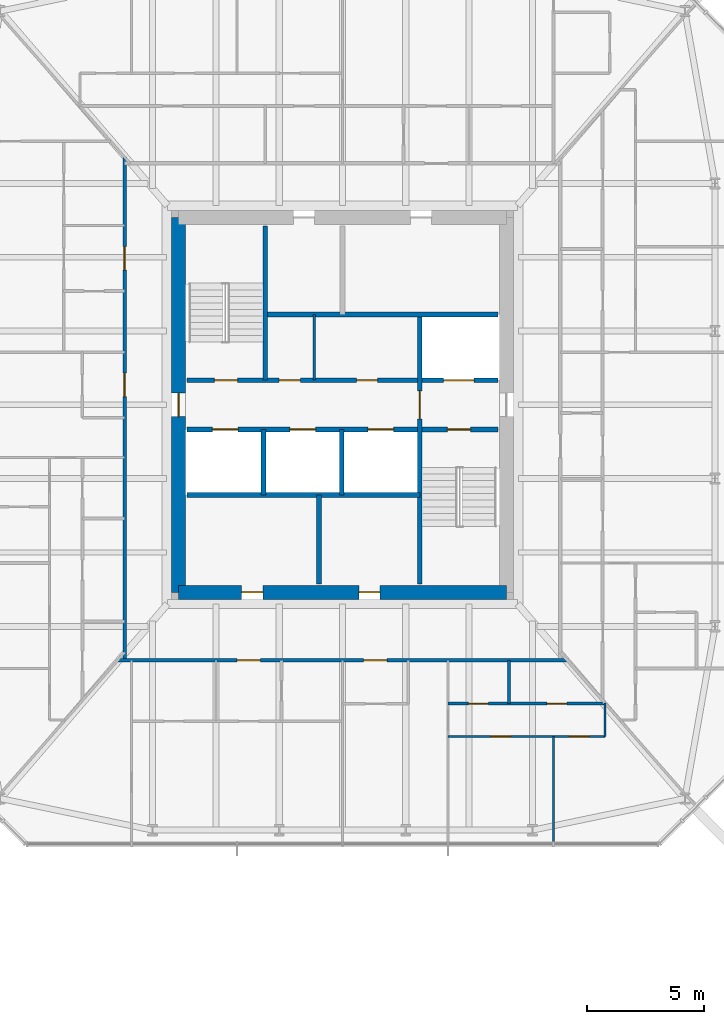
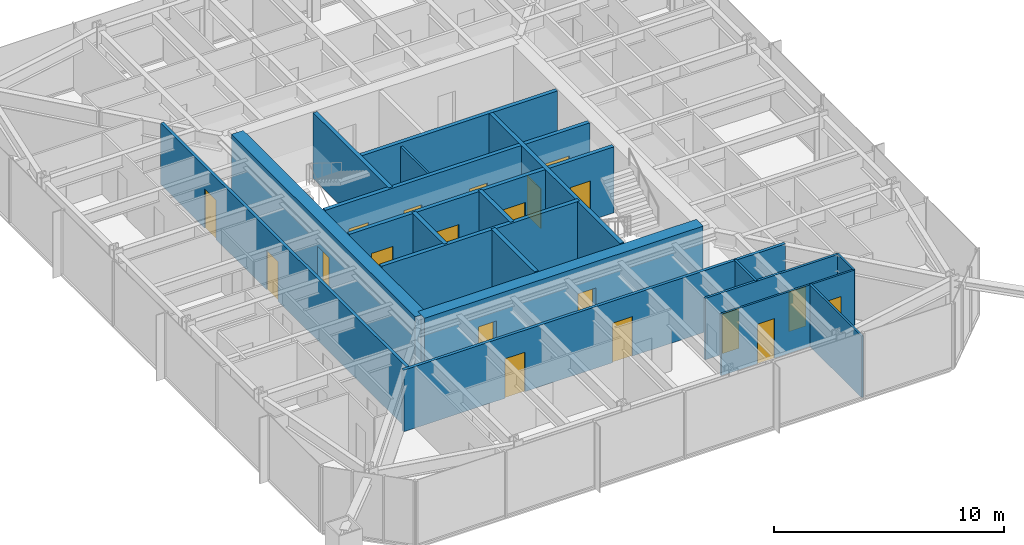
# One storey, part 19 of 26: 20 doors, 19 walls, 20 openings.
"""IFC4 building model written with IfcOpenShell, lengths in metres."""

from ifc_helpers import new_model, si_unit, direction, frame, frame_2d, origin, place, context, subcontext, project, spatial, rectangle, extrude, material, layer, layer_set, type_object, element, fill, save


model = new_model("IFC4")

# Units and contexts
model_context = context("Model", 3, precision=1e-05, world=origin(), true_north=direction((0.0, 1.0)))
body_context = subcontext(model_context, "Body", "Model", "MODEL_VIEW")
ifc_project = project(units=[si_unit("LENGTHUNIT", "METRE"), si_unit("AREAUNIT", "SQUARE_METRE"), si_unit("VOLUMEUNIT", "CUBIC_METRE"), si_unit("PLANEANGLEUNIT", "RADIAN"), si_unit("MASSUNIT", "GRAM", prefix="KILO")], contexts=[model_context])

# Site, building, storey
site_placement = place(None, origin())
site = spatial("IfcSite", under=ifc_project, at=site_placement, CompositionType="ELEMENT")
building_placement = place(site_placement, origin())
building = spatial("IfcBuilding", under=site, at=building_placement, Name="Iwan Alto Co-Living Towers", CompositionType="ELEMENT")
storey_placement = place(building_placement, frame((0.0, 0.0, 57.0)))
storey = spatial("IfcBuildingStorey", under=building, at=storey_placement, Name="L15", CompositionType="ELEMENT", Elevation=57.0)

# Wall, openings, doors
ifc_material_1 = material(Name="Gypsum board")
ifc_layer_1 = layer(ifc_material_1, 0.02490234375, Name="Board", Category="Finish")
ifc_material_2 = material(Name="Steel ASTM A1003 ST33H cold-formed studs", Category="steel")
ifc_layer_2 = layer(ifc_material_2, 0.10009765625, Name="Studs", Category="Framing")
ifc_layer_3 = layer(ifc_material_1, 0.02490234375, Name="Board", Category="Finish")
ifc_layer_set_1 = layer_set([ifc_layer_1, ifc_layer_2, ifc_layer_3], Name="CORRIDOR WALL 150")
wall_type_1 = type_object("IfcWallType", Name="CORRIDOR WALL 150", PredefinedType="PARTITIONING", material=ifc_layer_set_1)
wall_1_placement = place(storey_placement, frame((53.407958984375, -10.89990234375, 0.0), z_axis=(0.0, 0.0, 1.0), x_axis=(1.0, 0.0, 0.0)))
wall_1 = element("IfcWall", 1, at=wall_1_placement, inside=storey, type_object=wall_type_1, Name="Partition L15", PredefinedType="PARTITIONING", context=body_context, shape_type="SweptSolid", body=[
    extrude(rectangle(XDim=19.18408203125, YDim=0.14990234375, at=frame_2d((9.592041015625, 0.0))), origin(), (0.0, 0.0, 1.0), 3.27001953125),
])
opening_1_placement = place(wall_1_placement, frame((5.092041015625, 0.0, 0.0)))
opening_1 = element("IfcOpeningElement", 2, at=opening_1_placement, cuts=wall_1, Name="Opening D3", PredefinedType="OPENING", context=body_context, shape_type="SweptSolid", body=[
    extrude(rectangle(XDim=1.0, YDim=2.10009765625, at=frame_2d((0.5, 1.050048828125))), frame((0.0, 0.0849609375, 0.0), z_axis=(0.0, -1.0, 0.0), x_axis=(1.0, 0.0, 0.0)), (0.0, 0.0, 1.0), 0.169921875),
])
opening_2_placement = place(wall_1_placement, frame((10.491943359375, 0.0, 0.0)))
opening_2 = element("IfcOpeningElement", 3, at=opening_2_placement, cuts=wall_1, Name="Opening D3", PredefinedType="OPENING", context=body_context, shape_type="SweptSolid", body=[
    extrude(rectangle(XDim=1.0, YDim=2.10009765625, at=frame_2d((0.5, 1.050048828125))), frame((0.0, 0.0849609375, 0.0), z_axis=(0.0, -1.0, 0.0), x_axis=(1.0, 0.0, 0.0)), (0.0, 0.0, 1.0), 0.169921875),
])
ifc_material_3 = material(Name="Steel frame with timber leaf", Category="steel")
door_type_1 = type_object("IfcDoorType", Name="FLAT ENTRANCE DOOR FD30S 1000X2100", OperationType="SINGLE_SWING_LEFT", PredefinedType="DOOR", material=ifc_material_3)
door_1_placement = place(opening_1_placement, frame((1.0, 0.0, 0.0), z_axis=(0.0, 0.0, 1.0), x_axis=(-1.0, 0.0, 0.0)))
door_1 = element("IfcDoor", 4, at=door_1_placement, inside=storey, type_object=door_type_1, Name="Apartment foyer door L15", OperationType="SINGLE_SWING_RIGHT", OverallHeight=2.10009765625, OverallWidth=1.0, PredefinedType="DOOR", context=body_context, shape_type="SweptSolid", body=[
    extrude(rectangle(XDim=1.0, YDim=2.10009765625, at=frame_2d((0.5, 1.050048828125))), frame((0.0, 0.02490234375, 0.0), z_axis=(0.0, -1.0, 0.0), x_axis=(1.0, 0.0, 0.0)), (0.0, 0.0, 1.0), 0.050048828125),
])
fill(opening_1, door_1)
door_2_placement = place(opening_2_placement, frame((1.0, 0.0, 0.0), z_axis=(0.0, 0.0, 1.0), x_axis=(-1.0, 0.0, 0.0)))
door_2 = element("IfcDoor", 5, at=door_2_placement, inside=storey, type_object=door_type_1, Name="Apartment foyer door L15", OperationType="SINGLE_SWING_RIGHT", OverallHeight=2.10009765625, OverallWidth=1.0, PredefinedType="DOOR", context=body_context, shape_type="SweptSolid", body=[
    extrude(rectangle(XDim=1.0, YDim=2.10009765625, at=frame_2d((0.5, 1.050048828125))), frame((0.0, 0.02490234375, 0.0), z_axis=(0.0, -1.0, 0.0), x_axis=(1.0, 0.0, 0.0)), (0.0, 0.0, 1.0), 0.050048828125),
])
fill(opening_2, door_2)

wall_2_placement = place(storey_placement, frame((53.699951171875, -10.89990234375, 0.0), z_axis=(0.0, 0.0, 1.0), x_axis=(0.0, 1.0, 0.0)))
wall_2 = element("IfcWall", 6, at=wall_2_placement, inside=storey, type_object=wall_type_1, Name="Partition L15", PredefinedType="PARTITIONING", context=body_context, shape_type="SweptSolid", body=[
    extrude(rectangle(XDim=21.468017578125, YDim=0.14990234375, at=frame_2d((10.73388671875, 0.0))), origin(), (0.0, 0.0, 1.0), 3.27001953125),
])
opening_3_placement = place(wall_2_placement, frame((16.64990234375, 0.0, 0.0)))
opening_3 = element("IfcOpeningElement", 7, at=opening_3_placement, cuts=wall_2, Name="Opening D3", PredefinedType="OPENING", context=body_context, shape_type="SweptSolid", body=[
    extrude(rectangle(XDim=1.0, YDim=2.10009765625, at=frame_2d((0.5, 1.050048828125))), frame((0.0, 0.0849609375, 0.0), z_axis=(0.0, -1.0, 0.0), x_axis=(1.0, 0.0, 0.0)), (0.0, 0.0, 1.0), 0.169921875),
])
opening_4_placement = place(wall_2_placement, frame((11.25, 0.0, 0.0)))
opening_4 = element("IfcOpeningElement", 8, at=opening_4_placement, cuts=wall_2, Name="Opening D3", PredefinedType="OPENING", context=body_context, shape_type="SweptSolid", body=[
    extrude(rectangle(XDim=1.0, YDim=2.10009765625, at=frame_2d((0.5, 1.050048828125))), frame((0.0, 0.0849609375, 0.0), z_axis=(0.0, -1.0, 0.0), x_axis=(1.0, 0.0, 0.0)), (0.0, 0.0, 1.0), 0.169921875),
])
door_3_placement = place(opening_3_placement, origin())
door_3 = element("IfcDoor", 9, at=door_3_placement, inside=storey, type_object=door_type_1, Name="Apartment foyer door L15", OperationType="SINGLE_SWING_LEFT", OverallHeight=2.10009765625, OverallWidth=1.0, PredefinedType="DOOR", context=body_context, shape_type="SweptSolid", body=[
    extrude(rectangle(XDim=1.0, YDim=2.10009765625, at=frame_2d((0.5, 1.050048828125))), frame((0.0, 0.02490234375, 0.0), z_axis=(0.0, -1.0, 0.0), x_axis=(1.0, 0.0, 0.0)), (0.0, 0.0, 1.0), 0.050048828125),
])
fill(opening_3, door_3)
door_4_placement = place(opening_4_placement, origin())
door_4 = element("IfcDoor", 10, at=door_4_placement, inside=storey, type_object=door_type_1, Name="Apartment foyer door L15", OperationType="SINGLE_SWING_LEFT", OverallHeight=2.10009765625, OverallWidth=1.0, PredefinedType="DOOR", context=body_context, shape_type="SweptSolid", body=[
    extrude(rectangle(XDim=1.0, YDim=2.10009765625, at=frame_2d((0.5, 1.050048828125))), frame((0.0, 0.02490234375, 0.0), z_axis=(0.0, -1.0, 0.0), x_axis=(1.0, 0.0, 0.0)), (0.0, 0.0, 1.0), 0.050048828125),
])
fill(opening_4, door_4)

ifc_layer_4 = layer(ifc_material_1, 0.012451171875, Name="Board", Category="Finish")
ifc_layer_5 = layer(ifc_material_2, 0.074951171875, Name="Studs", Category="Framing")
ifc_layer_6 = layer(ifc_material_1, 0.012451171875, Name="Board", Category="Finish")
ifc_layer_set_2 = layer_set([ifc_layer_4, ifc_layer_5, ifc_layer_6], Name="PARTITION 100")
wall_type_2 = type_object("IfcWallType", Name="PARTITION 100", PredefinedType="PARTITIONING", material=ifc_layer_set_2)
wall_3_placement = place(storey_placement, frame((67.5, -14.14990234375, 0.0), z_axis=(0.0, 0.0, 1.0), x_axis=(1.0, 0.0, 0.0)))
wall_3 = element("IfcWall", 11, at=wall_3_placement, inside=storey, type_object=wall_type_2, Name="Partition L15", PredefinedType="PARTITIONING", context=body_context, shape_type="SweptSolid", body=[
    extrude(rectangle(XDim=6.699951171875, YDim=0.10009765625, at=frame_2d((3.35009765625, 0.0))), origin(), (0.0, 0.0, 1.0), 3.27001953125),
])
opening_5_placement = place(wall_3_placement, frame((1.824951171875, 0.0, 0.0)))
opening_5 = element("IfcOpeningElement", 12, at=opening_5_placement, cuts=wall_3, Name="Opening D2", PredefinedType="OPENING", context=body_context, shape_type="SweptSolid", body=[
    extrude(rectangle(XDim=0.85009765625, YDim=2.10009765625, at=frame_2d((0.425048828125, 1.050048828125))), frame((0.0, 0.06005859375, 0.0), z_axis=(0.0, -1.0, 0.0), x_axis=(1.0, 0.0, 0.0)), (0.0, 0.0, 1.0), 0.1201171875),
])
opening_6_placement = place(wall_3_placement, frame((5.175048828125, 0.0, 0.0)))
opening_6 = element("IfcOpeningElement", 13, at=opening_6_placement, cuts=wall_3, Name="Opening D2", PredefinedType="OPENING", context=body_context, shape_type="SweptSolid", body=[
    extrude(rectangle(XDim=0.85009765625, YDim=2.10009765625, at=frame_2d((0.425048828125, 1.050048828125))), frame((0.0, 0.06005859375, 0.0), z_axis=(0.0, -1.0, 0.0), x_axis=(1.0, 0.0, 0.0)), (0.0, 0.0, 1.0), 0.1201171875),
])
ifc_material_4 = material(Name="Timber leaf in steel frame", Category="steel")
door_type_2 = type_object("IfcDoorType", Name="ROOM DOOR 850X2100", OperationType="SINGLE_SWING_LEFT", PredefinedType="DOOR", material=ifc_material_4)
door_5_placement = place(opening_5_placement, frame((0.85009765625, 0.0, 0.0), z_axis=(0.0, 0.0, 1.0), x_axis=(-1.0, 0.0, 0.0)))
door_5 = element("IfcDoor", 14, at=door_5_placement, inside=storey, type_object=door_type_2, Name="Study door L15", OperationType="SINGLE_SWING_RIGHT", OverallHeight=2.10009765625, OverallWidth=0.85009765625, PredefinedType="DOOR", context=body_context, shape_type="SweptSolid", body=[
    extrude(rectangle(XDim=0.85009765625, YDim=2.10009765625, at=frame_2d((0.425048828125, 1.050048828125))), frame((0.0, 0.02490234375, 0.0), z_axis=(0.0, -1.0, 0.0), x_axis=(1.0, 0.0, 0.0)), (0.0, 0.0, 1.0), 0.050048828125),
])
fill(opening_5, door_5)
door_6_placement = place(opening_6_placement, frame((0.85009765625, 0.0, 0.0), z_axis=(0.0, 0.0, 1.0), x_axis=(-1.0, 0.0, 0.0)))
door_6 = element("IfcDoor", 15, at=door_6_placement, inside=storey, type_object=door_type_2, Name="Bedroom door L15", OperationType="SINGLE_SWING_RIGHT", OverallHeight=2.10009765625, OverallWidth=0.85009765625, PredefinedType="DOOR", context=body_context, shape_type="SweptSolid", body=[
    extrude(rectangle(XDim=0.85009765625, YDim=2.10009765625, at=frame_2d((0.425048828125, 1.050048828125))), frame((0.0, 0.02490234375, 0.0), z_axis=(0.0, -1.0, 0.0), x_axis=(1.0, 0.0, 0.0)), (0.0, 0.0, 1.0), 0.050048828125),
])
fill(opening_6, door_6)

# Walls
wall_4_placement = place(storey_placement, frame((74.199951171875, -14.14990234375, 0.0), z_axis=(0.0, 0.0, 1.0), x_axis=(0.0, 1.0, 0.0)))
element("IfcWall", 16, at=wall_4_placement, inside=storey, type_object=wall_type_2, Name="Partition L15", PredefinedType="PARTITIONING", context=body_context, shape_type="SweptSolid", body=[
    extrude(rectangle(XDim=1.4228515625, YDim=0.10009765625, at=frame_2d((0.71142578125, 0.0))), origin(), (0.0, 0.0, 1.0), 3.27001953125),
])
wall_5_placement = place(storey_placement, frame((72.0, -18.68994140625, 0.0), z_axis=(0.0, 0.0, 1.0), x_axis=(0.0, 1.0, 0.0)))
element("IfcWall", 17, at=wall_5_placement, inside=storey, type_object=wall_type_2, Name="Partition L15", PredefinedType="PARTITIONING", context=body_context, shape_type="SweptSolid", body=[
    extrude(rectangle(XDim=4.5400390625, YDim=0.10009765625, at=frame_2d((2.27001953125, 0.0))), origin(), (0.0, 0.0, 1.0), 3.27001953125),
])
wall_6_placement = place(storey_placement, frame((61.800048828125, 1.050048828125, 0.0), z_axis=(0.0, 0.0, 1.0), x_axis=(0.0, 1.0, 0.0)))
element("IfcWall", 18, at=wall_6_placement, inside=storey, type_object=wall_type_2, Name="Partition L15", PredefinedType="PARTITIONING", context=body_context, shape_type="SweptSolid", body=[
    extrude(rectangle(XDim=2.800048828125, YDim=0.10009765625, at=frame_2d((1.39990234375, 0.0))), origin(), (0.0, 0.0, 1.0), 3.300048828125),
])
ifc_material_5 = material(Name="Concrete f'c 70 MPa", Category="concrete")
ifc_layer_7 = layer(ifc_material_5, 0.199951171875)
ifc_layer_set_3 = layer_set([ifc_layer_7], Name="SHAFT WALL 200")
wall_type_3 = type_object("IfcWallType", Name="SHAFT WALL 200", PredefinedType="SOLIDWALL", material=ifc_layer_set_3)
wall_7_placement = place(storey_placement, frame((56.360107421875, -3.85009765625, 0.0), z_axis=(0.0, 0.0, 1.0), x_axis=(1.0, 0.0, 0.0)))
element("IfcWall", 19, at=wall_7_placement, inside=storey, type_object=wall_type_3, Name="Shaft wall L15", PredefinedType="SOLIDWALL", context=body_context, shape_type="SweptSolid", body=[
    extrude(rectangle(XDim=9.93994140625, YDim=0.199951171875, at=frame_2d((4.969970703125, 0.0))), origin(), (0.0, 0.0, 1.0), 3.5),
])

# Wall, openings, doors
wall_8_placement = place(storey_placement, frame((56.360107421875, -1.050048828125, 0.0), z_axis=(0.0, 0.0, 1.0), x_axis=(1.0, 0.0, 0.0)))
wall_8 = element("IfcWall", 20, at=wall_8_placement, inside=storey, type_object=wall_type_3, Name="Shaft wall L15", PredefinedType="SOLIDWALL", context=body_context, shape_type="SweptSolid", body=[
    extrude(rectangle(XDim=13.27978515625, YDim=0.199951171875, at=frame_2d((6.639892578125, 0.0))), origin(), (0.0, 0.0, 1.0), 3.5),
])
opening_7_placement = place(wall_8_placement, frame((11.110107421875, 0.0, 0.0)))
opening_7 = element("IfcOpeningElement", 21, at=opening_7_placement, cuts=wall_8, Name="Opening D5", PredefinedType="OPENING", context=body_context, shape_type="SweptSolid", body=[
    extrude(rectangle(XDim=1.0, YDim=2.10009765625, at=frame_2d((0.5, 1.050048828125))), frame((0.0, 0.10986328125, 0.0), z_axis=(0.0, -1.0, 0.0), x_axis=(1.0, 0.0, 0.0)), (0.0, 0.0, 1.0), 0.219970703125),
])
opening_8_placement = place(wall_8_placement, frame((1.0869140625, 0.0, 0.0)))
opening_8 = element("IfcOpeningElement", 22, at=opening_8_placement, cuts=wall_8, Name="Opening LD", PredefinedType="OPENING", context=body_context, shape_type="SweptSolid", body=[
    extrude(rectangle(XDim=1.10009765625, YDim=2.10009765625, at=frame_2d((0.550048828125, 1.050048828125))), frame((0.0, 0.10986328125, 0.0), z_axis=(0.0, -1.0, 0.0), x_axis=(1.0, 0.0, 0.0)), (0.0, 0.0, 1.0), 0.219970703125),
])
opening_9_placement = place(wall_8_placement, frame((4.389892578125, 0.0, 0.0)))
opening_9 = element("IfcOpeningElement", 23, at=opening_9_placement, cuts=wall_8, Name="Opening LD", PredefinedType="OPENING", context=body_context, shape_type="SweptSolid", body=[
    extrude(rectangle(XDim=1.10009765625, YDim=2.10009765625, at=frame_2d((0.550048828125, 1.050048828125))), frame((0.0, 0.10986328125, 0.0), z_axis=(0.0, -1.0, 0.0), x_axis=(1.0, 0.0, 0.0)), (0.0, 0.0, 1.0), 0.219970703125),
])
opening_10_placement = place(wall_8_placement, frame((7.72412109375, 0.0, 0.0)))
opening_10 = element("IfcOpeningElement", 24, at=opening_10_placement, cuts=wall_8, Name="Opening LD", PredefinedType="OPENING", context=body_context, shape_type="SweptSolid", body=[
    extrude(rectangle(XDim=1.10009765625, YDim=2.10009765625, at=frame_2d((0.550048828125, 1.050048828125))), frame((0.0, 0.10986328125, 0.0), z_axis=(0.0, -1.0, 0.0), x_axis=(1.0, 0.0, 0.0)), (0.0, 0.0, 1.0), 0.219970703125),
])
ifc_material_6 = material(Name="Steel frame with timber leaf", Category="steel")
door_type_3 = type_object("IfcDoorType", Name="LIFT LANDING DOOR 1100X2100", OperationType="DOUBLE_DOOR_SLIDING", PredefinedType="DOOR", material=ifc_material_6)
door_7_placement = place(opening_8_placement, origin())
door_7 = element("IfcDoor", 25, at=door_7_placement, inside=storey, type_object=door_type_3, Name="Lift P5-1 landing door L15", OperationType="DOUBLE_DOOR_SLIDING", OverallHeight=2.10009765625, OverallWidth=1.10009765625, PredefinedType="DOOR", context=body_context, shape_type="SweptSolid", body=[
    extrude(rectangle(XDim=1.10009765625, YDim=2.10009765625, at=frame_2d((0.550048828125, 1.050048828125))), frame((0.0, 0.02490234375, 0.0), z_axis=(0.0, -1.0, 0.0), x_axis=(1.0, 0.0, 0.0)), (0.0, 0.0, 1.0), 0.050048828125),
])
fill(opening_8, door_7)
door_8_placement = place(opening_9_placement, origin())
door_8 = element("IfcDoor", 26, at=door_8_placement, inside=storey, type_object=door_type_3, Name="Lift P5-2 landing door L15", OperationType="DOUBLE_DOOR_SLIDING", OverallHeight=2.10009765625, OverallWidth=1.10009765625, PredefinedType="DOOR", context=body_context, shape_type="SweptSolid", body=[
    extrude(rectangle(XDim=1.10009765625, YDim=2.10009765625, at=frame_2d((0.550048828125, 1.050048828125))), frame((0.0, 0.02490234375, 0.0), z_axis=(0.0, -1.0, 0.0), x_axis=(1.0, 0.0, 0.0)), (0.0, 0.0, 1.0), 0.050048828125),
])
fill(opening_9, door_8)
door_9_placement = place(opening_10_placement, origin())
door_9 = element("IfcDoor", 27, at=door_9_placement, inside=storey, type_object=door_type_3, Name="Lift P6-3 landing door L15", OperationType="DOUBLE_DOOR_SLIDING", OverallHeight=2.10009765625, OverallWidth=1.10009765625, PredefinedType="DOOR", context=body_context, shape_type="SweptSolid", body=[
    extrude(rectangle(XDim=1.10009765625, YDim=2.10009765625, at=frame_2d((0.550048828125, 1.050048828125))), frame((0.0, 0.02490234375, 0.0), z_axis=(0.0, -1.0, 0.0), x_axis=(1.0, 0.0, 0.0)), (0.0, 0.0, 1.0), 0.050048828125),
])
fill(opening_10, door_9)
ifc_material_7 = material(Name="Steel frame with timber leaf", Category="steel")
door_type_4 = type_object("IfcDoorType", Name="STAIR DOOR FD120S 1000X2100", OperationType="SINGLE_SWING_LEFT", PredefinedType="DOOR", material=ifc_material_7)
door_10_placement = place(opening_7_placement, frame((1.0, 0.0, 0.0), z_axis=(0.0, 0.0, 1.0), x_axis=(-1.0, 0.0, 0.0)))
door_10 = element("IfcDoor", 28, at=door_10_placement, inside=storey, type_object=door_type_4, Name="Stair S2 door L15", OperationType="SINGLE_SWING_RIGHT", OverallHeight=2.10009765625, OverallWidth=1.0, PredefinedType="DOOR", context=body_context, shape_type="SweptSolid", body=[
    extrude(rectangle(XDim=1.0, YDim=2.10009765625, at=frame_2d((0.5, 1.050048828125))), frame((0.0, 0.02490234375, 0.0), z_axis=(0.0, -1.0, 0.0), x_axis=(1.0, 0.0, 0.0)), (0.0, 0.0, 1.0), 0.050048828125),
])
fill(opening_7, door_10)

wall_9_placement = place(storey_placement, frame((56.360107421875, 1.050048828125, 0.0), z_axis=(0.0, 0.0, 1.0), x_axis=(1.0, 0.0, 0.0)))
wall_9 = element("IfcWall", 29, at=wall_9_placement, inside=storey, type_object=wall_type_3, Name="Shaft wall L15", PredefinedType="SOLIDWALL", context=body_context, shape_type="SweptSolid", body=[
    extrude(rectangle(XDim=13.27978515625, YDim=0.199951171875, at=frame_2d((6.639892578125, 0.0))), origin(), (0.0, 0.0, 1.0), 3.5),
])
opening_11_placement = place(wall_9_placement, frame((1.169921875, 0.0, 0.0)))
opening_11 = element("IfcOpeningElement", 30, at=opening_11_placement, cuts=wall_9, Name="Opening D5", PredefinedType="OPENING", context=body_context, shape_type="SweptSolid", body=[
    extrude(rectangle(XDim=1.0, YDim=2.10009765625, at=frame_2d((0.5, 1.050048828125))), frame((0.0, 0.10986328125, 0.0), z_axis=(0.0, -1.0, 0.0), x_axis=(1.0, 0.0, 0.0)), (0.0, 0.0, 1.0), 0.219970703125),
])
opening_12_placement = place(wall_9_placement, frame((7.239990234375, 0.0, 0.0)))
opening_12 = element("IfcOpeningElement", 31, at=opening_12_placement, cuts=wall_9, Name="Opening D8", PredefinedType="OPENING", context=body_context, shape_type="SweptSolid", body=[
    extrude(rectangle(XDim=0.89990234375, YDim=2.10009765625, at=frame_2d((0.449951171875, 1.050048828125))), frame((0.0, 0.10986328125, 0.0), z_axis=(0.0, -1.0, 0.0), x_axis=(1.0, 0.0, 0.0)), (0.0, 0.0, 1.0), 0.219970703125),
])
opening_13_placement = place(wall_9_placement, frame((3.93994140625, 0.0, 0.0)))
opening_13 = element("IfcOpeningElement", 32, at=opening_13_placement, cuts=wall_9, Name="Opening D15", PredefinedType="OPENING", context=body_context, shape_type="SweptSolid", body=[
    extrude(rectangle(XDim=0.89990234375, YDim=2.10009765625, at=frame_2d((0.449951171875, 1.050048828125))), frame((0.0, 0.10986328125, 0.0), z_axis=(0.0, -1.0, 0.0), x_axis=(1.0, 0.0, 0.0)), (0.0, 0.0, 1.0), 0.219970703125),
])
opening_14_placement = place(wall_9_placement, frame((10.9599609375, 0.0, 0.0)))
opening_14 = element("IfcOpeningElement", 33, at=opening_14_placement, cuts=wall_9, Name="Opening LD2", PredefinedType="OPENING", context=body_context, shape_type="SweptSolid", body=[
    extrude(rectangle(XDim=1.300048828125, YDim=2.10009765625, at=frame_2d((0.64990234375, 1.050048828125))), frame((0.0, 0.10986328125, 0.0), z_axis=(0.0, -1.0, 0.0), x_axis=(1.0, 0.0, 0.0)), (0.0, 0.0, 1.0), 0.219970703125),
])
ifc_material_8 = material(Name="Steel frame with timber leaf", Category="steel")
door_type_5 = type_object("IfcDoorType", Name="CORE ROOM DOOR FD60S 900X2100", OperationType="SINGLE_SWING_LEFT", PredefinedType="DOOR", material=ifc_material_8)
door_11_placement = place(opening_13_placement, origin())
door_11 = element("IfcDoor", 34, at=door_11_placement, inside=storey, type_object=door_type_5, Name="Sprinkler valve room door L15", OperationType="SINGLE_SWING_LEFT", OverallHeight=2.10009765625, OverallWidth=0.89990234375, PredefinedType="DOOR", context=body_context, shape_type="SweptSolid", body=[
    extrude(rectangle(XDim=0.89990234375, YDim=2.10009765625, at=frame_2d((0.449951171875, 1.050048828125))), frame((0.0, 0.02490234375, 0.0), z_axis=(0.0, -1.0, 0.0), x_axis=(1.0, 0.0, 0.0)), (0.0, 0.0, 1.0), 0.050048828125),
])
fill(opening_13, door_11)
ifc_material_9 = material(Name="Steel frame with timber leaf", Category="steel")
door_type_6 = type_object("IfcDoorType", Name="LIFT LANDING DOOR 1300X2100", OperationType="SLIDING_TO_LEFT", PredefinedType="DOOR", material=ifc_material_9)
door_12_placement = place(opening_14_placement, origin())
door_12 = element("IfcDoor", 35, at=door_12_placement, inside=storey, type_object=door_type_6, Name="Lift FL2 landing door L15", OperationType="SLIDING_TO_LEFT", OverallHeight=2.10009765625, OverallWidth=1.300048828125, PredefinedType="DOOR", context=body_context, shape_type="SweptSolid", body=[
    extrude(rectangle(XDim=1.300048828125, YDim=2.10009765625, at=frame_2d((0.64990234375, 1.050048828125))), frame((0.0, 0.02490234375, 0.0), z_axis=(0.0, -1.0, 0.0), x_axis=(1.0, 0.0, 0.0)), (0.0, 0.0, 1.0), 0.050048828125),
])
fill(opening_14, door_12)
ifc_material_10 = material(Name="Steel frame with timber leaf", Category="steel")
door_type_7 = type_object("IfcDoorType", Name="RISER DOOR FD120 900X2100", OperationType="SINGLE_SWING_LEFT", PredefinedType="DOOR", material=ifc_material_10)
door_13_placement = place(opening_12_placement, origin())
door_13 = element("IfcDoor", 36, at=door_13_placement, inside=storey, type_object=door_type_7, Name="Riser room door L15", OperationType="SINGLE_SWING_LEFT", OverallHeight=2.10009765625, OverallWidth=0.89990234375, PredefinedType="DOOR", context=body_context, shape_type="SweptSolid", body=[
    extrude(rectangle(XDim=0.89990234375, YDim=2.10009765625, at=frame_2d((0.449951171875, 1.050048828125))), frame((0.0, 0.02490234375, 0.0), z_axis=(0.0, -1.0, 0.0), x_axis=(1.0, 0.0, 0.0)), (0.0, 0.0, 1.0), 0.050048828125),
])
fill(opening_12, door_13)
door_14_placement = place(opening_11_placement, origin())
door_14 = element("IfcDoor", 37, at=door_14_placement, inside=storey, type_object=door_type_4, Name="Stair S1 door L15", OperationType="SINGLE_SWING_RIGHT", OverallHeight=2.10009765625, OverallWidth=1.0, PredefinedType="DOOR", context=body_context, shape_type="SweptSolid", body=[
    extrude(rectangle(XDim=1.0, YDim=2.10009765625, at=frame_2d((0.5, 1.050048828125))), frame((0.0, 0.02490234375, 0.0), z_axis=(0.0, -1.0, 0.0), x_axis=(1.0, 0.0, 0.0)), (0.0, 0.0, 1.0), 0.050048828125),
])
fill(opening_11, door_14)

# Wall
wall_10_placement = place(storey_placement, frame((59.699951171875, 3.85009765625, 0.0), z_axis=(0.0, 0.0, 1.0), x_axis=(1.0, 0.0, 0.0)))
element("IfcWall", 38, at=wall_10_placement, inside=storey, type_object=wall_type_3, Name="Shaft wall L15", PredefinedType="SOLIDWALL", context=body_context, shape_type="SweptSolid", body=[
    extrude(rectangle(XDim=9.93994140625, YDim=0.199951171875, at=frame_2d((4.969970703125, 0.0))), origin(), (0.0, 0.0, 1.0), 3.5),
])

# Wall, opening, door
wall_11_placement = place(storey_placement, frame((66.300048828125, -7.639892578125, 0.0), z_axis=(0.0, 0.0, 1.0), x_axis=(0.0, 1.0, 0.0)))
wall_11 = element("IfcWall", 39, at=wall_11_placement, inside=storey, type_object=wall_type_3, Name="Shaft wall L15", PredefinedType="SOLIDWALL", context=body_context, shape_type="SweptSolid", body=[
    extrude(rectangle(XDim=11.489990234375, YDim=0.199951171875, at=frame_2d((5.7451171875, 0.0))), origin(), (0.0, 0.0, 1.0), 3.5),
])
opening_15_placement = place(wall_11_placement, frame((7.0400390625, 0.0, 0.0)))
opening_15 = element("IfcOpeningElement", 40, at=opening_15_placement, cuts=wall_11, Name="Opening D6", PredefinedType="OPENING", context=body_context, shape_type="SweptSolid", body=[
    extrude(rectangle(XDim=1.199951171875, YDim=2.10009765625, at=frame_2d((0.60009765625, 1.050048828125))), frame((0.0, 0.10986328125, 0.0), z_axis=(0.0, -1.0, 0.0), x_axis=(1.0, 0.0, 0.0)), (0.0, 0.0, 1.0), 0.219970703125),
])
ifc_material_11 = material(Name="Steel frame with timber leaf", Category="steel")
door_type_8 = type_object("IfcDoorType", Name="LOBBY DOOR FD120S 1200X2100", OperationType="SINGLE_SWING_LEFT", PredefinedType="DOOR", material=ifc_material_11)
door_15_placement = place(opening_15_placement, frame((1.199951171875, 0.0, 0.0), z_axis=(0.0, 0.0, 1.0), x_axis=(-1.0, 0.0, 0.0)))
door_15 = element("IfcDoor", 41, at=door_15_placement, inside=storey, type_object=door_type_8, Name="Firefighting lobby door L15", OperationType="SINGLE_SWING_RIGHT", OverallHeight=2.10009765625, OverallWidth=1.199951171875, PredefinedType="DOOR", context=body_context, shape_type="SweptSolid", body=[
    extrude(rectangle(XDim=1.199951171875, YDim=2.10009765625, at=frame_2d((0.60009765625, 1.050048828125))), frame((0.0, 0.02490234375, 0.0), z_axis=(0.0, -1.0, 0.0), x_axis=(1.0, 0.0, 0.0)), (0.0, 0.0, 1.0), 0.050048828125),
])
fill(opening_15, door_15)

# Walls
wall_12_placement = place(storey_placement, frame((62.967041015625, -3.85009765625, 0.0), z_axis=(0.0, 0.0, 1.0), x_axis=(0.0, 1.0, 0.0)))
element("IfcWall", 42, at=wall_12_placement, inside=storey, type_object=wall_type_3, Name="Shaft wall L15", PredefinedType="SOLIDWALL", context=body_context, shape_type="SweptSolid", body=[
    extrude(rectangle(XDim=2.800048828125, YDim=0.199951171875, at=frame_2d((1.39990234375, 0.0))), origin(), (0.0, 0.0, 1.0), 3.5),
])
wall_13_placement = place(storey_placement, frame((62.0, -7.639892578125, 0.0), z_axis=(0.0, 0.0, 1.0), x_axis=(0.0, 1.0, 0.0)))
element("IfcWall", 43, at=wall_13_placement, inside=storey, type_object=wall_type_3, Name="Shaft wall L15", PredefinedType="SOLIDWALL", context=body_context, shape_type="SweptSolid", body=[
    extrude(rectangle(XDim=3.789794921875, YDim=0.199951171875, at=frame_2d((1.89501953125, 0.0))), origin(), (0.0, 0.0, 1.0), 3.5),
])
wall_14_placement = place(storey_placement, frame((59.699951171875, 1.050048828125, 0.0), z_axis=(0.0, 0.0, 1.0), x_axis=(0.0, 1.0, 0.0)))
element("IfcWall", 44, at=wall_14_placement, inside=storey, type_object=wall_type_3, Name="Shaft wall L15", PredefinedType="SOLIDWALL", context=body_context, shape_type="SweptSolid", body=[
    extrude(rectangle(XDim=6.58984375, YDim=0.199951171875, at=frame_2d((3.294921875, 0.0))), origin(), (0.0, 0.0, 1.0), 3.5),
])
wall_15_placement = place(storey_placement, frame((59.633056640625, -3.85009765625, 0.0), z_axis=(0.0, 0.0, 1.0), x_axis=(0.0, 1.0, 0.0)))
element("IfcWall", 45, at=wall_15_placement, inside=storey, type_object=wall_type_3, Name="Shaft wall L15", PredefinedType="SOLIDWALL", context=body_context, shape_type="SweptSolid", body=[
    extrude(rectangle(XDim=2.800048828125, YDim=0.199951171875, at=frame_2d((1.39990234375, 0.0))), origin(), (0.0, 0.0, 1.0), 3.5),
])

# Wall, openings, doors
ifc_material_12 = material(Name="Concrete f'c 70 MPa", Category="concrete")
ifc_layer_8 = layer(ifc_material_12, 0.60009765625)
ifc_layer_set_4 = layer_set([ifc_layer_8], Name="T2 CORE WALL 600")
wall_type_4 = type_object("IfcWallType", Name="T2 CORE WALL 600", PredefinedType="SHEAR", material=ifc_layer_set_4)
wall_16_placement = place(storey_placement, frame((56.0, -8.0, 0.0), z_axis=(0.0, 0.0, 1.0), x_axis=(1.0, 0.0, 0.0)))
wall_16 = element("IfcWall", 46, at=wall_16_placement, inside=storey, type_object=wall_type_4, Name="T2 core wall S L15", PredefinedType="SHEAR", context=body_context, shape_type="SweptSolid", body=[
    extrude(rectangle(XDim=14.0, YDim=0.60009765625, at=frame_2d((7.0, 0.0))), origin(), (0.0, 0.0, 1.0), 3.5),
])
opening_16_placement = place(wall_16_placement, frame((2.699951171875, 0.0, 0.0)))
opening_16 = element("IfcOpeningElement", 47, at=opening_16_placement, cuts=wall_16, Name="Opening D8", PredefinedType="OPENING", context=body_context, shape_type="SweptSolid", body=[
    extrude(rectangle(XDim=0.89990234375, YDim=2.10009765625, at=frame_2d((0.449951171875, 1.050048828125))), frame((0.0, 0.31005859375, 0.0), z_axis=(0.0, -1.0, 0.0), x_axis=(1.0, 0.0, 0.0)), (0.0, 0.0, 1.0), 0.6201171875),
])
opening_17_placement = place(wall_16_placement, frame((7.699951171875, 0.0, 0.0)))
opening_17 = element("IfcOpeningElement", 48, at=opening_17_placement, cuts=wall_16, Name="Opening D8", PredefinedType="OPENING", context=body_context, shape_type="SweptSolid", body=[
    extrude(rectangle(XDim=0.89990234375, YDim=2.10009765625, at=frame_2d((0.449951171875, 1.050048828125))), frame((0.0, 0.31005859375, 0.0), z_axis=(0.0, -1.0, 0.0), x_axis=(1.0, 0.0, 0.0)), (0.0, 0.0, 1.0), 0.6201171875),
])
door_16_placement = place(opening_16_placement, origin())
door_16 = element("IfcDoor", 49, at=door_16_placement, inside=storey, type_object=door_type_7, Name="Refuse room core door L15", OperationType="SINGLE_SWING_LEFT", OverallHeight=2.10009765625, OverallWidth=0.89990234375, PredefinedType="DOOR", context=body_context, shape_type="SweptSolid", body=[
    extrude(rectangle(XDim=0.89990234375, YDim=2.10009765625, at=frame_2d((0.449951171875, 1.050048828125))), frame((0.0, 0.02490234375, 0.0), z_axis=(0.0, -1.0, 0.0), x_axis=(1.0, 0.0, 0.0)), (0.0, 0.0, 1.0), 0.050048828125),
])
fill(opening_16, door_16)
door_17_placement = place(opening_17_placement, origin())
door_17 = element("IfcDoor", 50, at=door_17_placement, inside=storey, type_object=door_type_7, Name="Telecom riser core door L15", OperationType="SINGLE_SWING_LEFT", OverallHeight=2.10009765625, OverallWidth=0.89990234375, PredefinedType="DOOR", context=body_context, shape_type="SweptSolid", body=[
    extrude(rectangle(XDim=0.89990234375, YDim=2.10009765625, at=frame_2d((0.449951171875, 1.050048828125))), frame((0.0, 0.02490234375, 0.0), z_axis=(0.0, -1.0, 0.0), x_axis=(1.0, 0.0, 0.0)), (0.0, 0.0, 1.0), 0.050048828125),
])
fill(opening_17, door_17)

# Wall, opening, door
wall_17_placement = place(storey_placement, frame((56.0, 8.0, 0.0), z_axis=(0.0, 0.0, 1.0), x_axis=(0.0, -1.0, 0.0)))
wall_17 = element("IfcWall", 51, at=wall_17_placement, inside=storey, type_object=wall_type_4, Name="T2 core wall W L15", PredefinedType="SHEAR", context=body_context, shape_type="SweptSolid", body=[
    extrude(rectangle(XDim=16.0, YDim=0.60009765625, at=frame_2d((8.0, 0.0))), origin(), (0.0, 0.0, 1.0), 3.5),
])
opening_18_placement = place(wall_17_placement, frame((7.5, 0.0, 0.0)))
opening_18 = element("IfcOpeningElement", 52, at=opening_18_placement, cuts=wall_17, Name="Opening D7", PredefinedType="OPENING", context=body_context, shape_type="SweptSolid", body=[
    extrude(rectangle(XDim=1.0, YDim=2.10009765625, at=frame_2d((0.5, 1.050048828125))), frame((0.0, 0.31005859375, 0.0), z_axis=(0.0, -1.0, 0.0), x_axis=(1.0, 0.0, 0.0)), (0.0, 0.0, 1.0), 0.6201171875),
])
ifc_material_13 = material(Name="Steel frame with timber leaf", Category="steel")
door_type_9 = type_object("IfcDoorType", Name="CORE DOOR FD120S 1000X2100", OperationType="SINGLE_SWING_LEFT", PredefinedType="DOOR", material=ifc_material_13)
door_18_placement = place(opening_18_placement, origin())
door_18 = element("IfcDoor", 53, at=door_18_placement, inside=storey, type_object=door_type_9, Name="Lift lobby core door L15", OperationType="SINGLE_SWING_RIGHT", OverallHeight=2.10009765625, OverallWidth=1.0, PredefinedType="DOOR", context=body_context, shape_type="SweptSolid", body=[
    extrude(rectangle(XDim=1.0, YDim=2.10009765625, at=frame_2d((0.5, 1.050048828125))), frame((0.0, 0.02490234375, 0.0), z_axis=(0.0, -1.0, 0.0), x_axis=(1.0, 0.0, 0.0)), (0.0, 0.0, 1.0), 0.050048828125),
])
fill(opening_18, door_18)

# Wall, openings, doors
ifc_material_14 = material(Name="Cement board")
ifc_layer_9 = layer(ifc_material_14, 0.012451171875, Name="Board", Category="Finish")
ifc_layer_10 = layer(ifc_material_2, 0.094970703125, Name="Studs", Category="Framing")
ifc_layer_11 = layer(ifc_material_14, 0.012451171875, Name="Board", Category="Finish")
ifc_layer_set_5 = layer_set([ifc_layer_9, ifc_layer_10, ifc_layer_11], Name="WET AREA PARTITION 120")
wall_type_5 = type_object("IfcWallType", Name="WET AREA PARTITION 120", PredefinedType="PARTITIONING", material=ifc_layer_set_5)
wall_18_placement = place(storey_placement, frame((67.5, -12.75, 0.0), z_axis=(0.0, 0.0, 1.0), x_axis=(1.0, 0.0, 0.0)))
wall_18 = element("IfcWall", 54, at=wall_18_placement, inside=storey, type_object=wall_type_5, Name="Partition L15", PredefinedType="PARTITIONING", context=body_context, shape_type="SweptSolid", body=[
    extrude(rectangle(XDim=6.699951171875, YDim=0.1201171875, at=frame_2d((3.35009765625, 0.0))), origin(), (0.0, 0.0, 1.0), 3.27001953125),
])
opening_19_placement = place(wall_18_placement, frame((0.875, 0.0, 0.0)))
opening_19 = element("IfcOpeningElement", 55, at=opening_19_placement, cuts=wall_18, Name="Opening D2", PredefinedType="OPENING", context=body_context, shape_type="SweptSolid", body=[
    extrude(rectangle(XDim=0.85009765625, YDim=2.10009765625, at=frame_2d((0.425048828125, 1.050048828125))), frame((0.0, 0.070068359375, 0.0), z_axis=(0.0, -1.0, 0.0), x_axis=(1.0, 0.0, 0.0)), (0.0, 0.0, 1.0), 0.14013671875),
])
opening_20_placement = place(wall_18_placement, frame((4.22509765625, 0.0, 0.0)))
opening_20 = element("IfcOpeningElement", 56, at=opening_20_placement, cuts=wall_18, Name="Opening D2", PredefinedType="OPENING", context=body_context, shape_type="SweptSolid", body=[
    extrude(rectangle(XDim=0.85009765625, YDim=2.10009765625, at=frame_2d((0.425048828125, 1.050048828125))), frame((0.0, 0.070068359375, 0.0), z_axis=(0.0, -1.0, 0.0), x_axis=(1.0, 0.0, 0.0)), (0.0, 0.0, 1.0), 0.14013671875),
])
door_19_placement = place(opening_19_placement, origin())
door_19 = element("IfcDoor", 57, at=door_19_placement, inside=storey, type_object=door_type_2, Name="Bathroom door L15", OperationType="SINGLE_SWING_LEFT", OverallHeight=2.10009765625, OverallWidth=0.85009765625, PredefinedType="DOOR", context=body_context, shape_type="SweptSolid", body=[
    extrude(rectangle(XDim=0.85009765625, YDim=2.10009765625, at=frame_2d((0.425048828125, 1.050048828125))), frame((0.0, 0.02490234375, 0.0), z_axis=(0.0, -1.0, 0.0), x_axis=(1.0, 0.0, 0.0)), (0.0, 0.0, 1.0), 0.050048828125),
])
fill(opening_19, door_19)
door_20_placement = place(opening_20_placement, origin())
door_20 = element("IfcDoor", 58, at=door_20_placement, inside=storey, type_object=door_type_2, Name="Utility room door L15", OperationType="SINGLE_SWING_RIGHT", OverallHeight=2.10009765625, OverallWidth=0.85009765625, PredefinedType="DOOR", context=body_context, shape_type="SweptSolid", body=[
    extrude(rectangle(XDim=0.85009765625, YDim=2.10009765625, at=frame_2d((0.425048828125, 1.050048828125))), frame((0.0, 0.02490234375, 0.0), z_axis=(0.0, -1.0, 0.0), x_axis=(1.0, 0.0, 0.0)), (0.0, 0.0, 1.0), 0.050048828125),
])
fill(opening_20, door_20)

# Wall
wall_19_placement = place(storey_placement, frame((70.10009765625, -12.75, 0.0), z_axis=(0.0, 0.0, 1.0), x_axis=(0.0, 1.0, 0.0)))
element("IfcWall", 59, at=wall_19_placement, inside=storey, type_object=wall_type_5, Name="Partition L15", PredefinedType="PARTITIONING", context=body_context, shape_type="SweptSolid", body=[
    extrude(rectangle(XDim=1.85009765625, YDim=0.1201171875, at=frame_2d((0.925048828125, 0.0))), origin(), (0.0, 0.0, 1.0), 3.27001953125),
])

save(model, "model.ifc")
